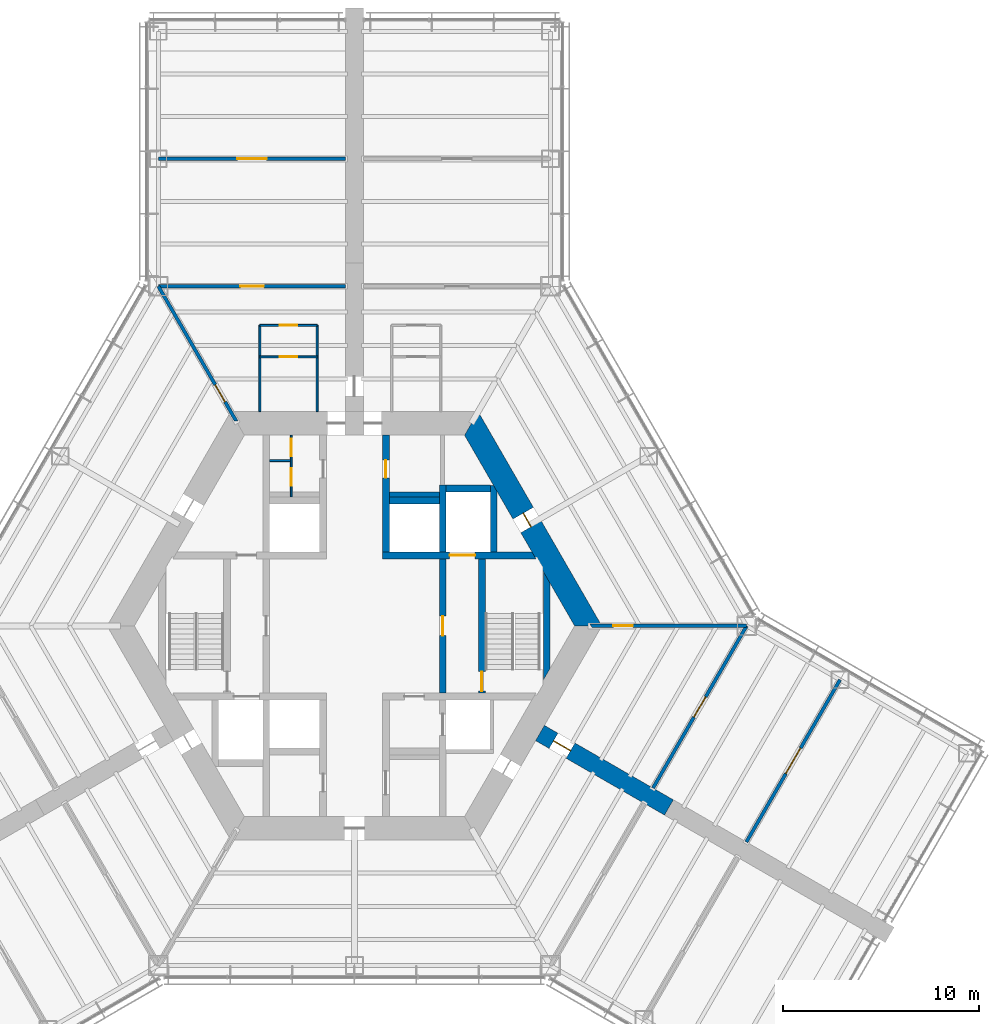
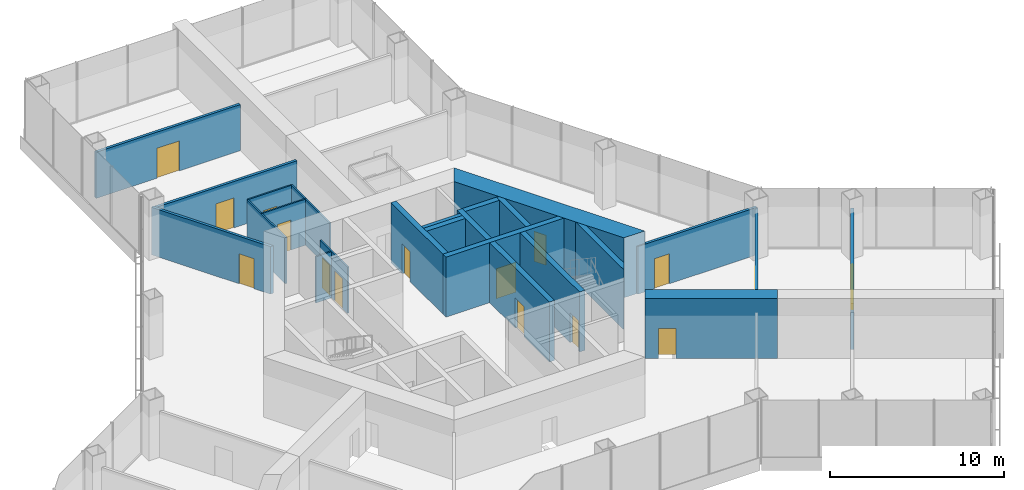
# One storey, part 12 of 15: 24 walls, 16 doors, 16 openings.
"""IFC4 building model written with IfcOpenShell, lengths in metres."""

from ifc_helpers import new_model, si_unit, direction, frame, frame_2d, origin, place, context, subcontext, project, spatial, polyline, rectangle, outline, extrude, material, layer, layer_set, type_object, element, fill, save


model = new_model("IFC4")

# Units and contexts
model_context = context("Model", 3, precision=1e-05, world=origin(), true_north=direction((0.0, 1.0)))
body_context = subcontext(model_context, "Body", "Model", "MODEL_VIEW")
ifc_project = project(units=[si_unit("LENGTHUNIT", "METRE"), si_unit("AREAUNIT", "SQUARE_METRE"), si_unit("VOLUMEUNIT", "CUBIC_METRE"), si_unit("PLANEANGLEUNIT", "RADIAN"), si_unit("MASSUNIT", "GRAM", prefix="KILO")], contexts=[model_context])

# Site, building, storey
site_placement = place(None, origin())
site = spatial("IfcSite", under=ifc_project, at=site_placement, CompositionType="ELEMENT")
building_placement = place(site_placement, origin())
building = spatial("IfcBuilding", under=site, at=building_placement, Name="Kasaneha Research Tower", CompositionType="ELEMENT")
storey_placement = place(building_placement, frame((0.0, 0.0, 31.0)))
storey = spatial("IfcBuildingStorey", under=building, at=storey_placement, Name="L08", CompositionType="ELEMENT", Elevation=31.0)

# Wall, opening, door
ifc_material_1 = material(Name="Concrete Fc100", Category="concrete")
ifc_layer_1 = layer(ifc_material_1, 0.35009765625)
ifc_layer_set_1 = layer_set([ifc_layer_1], Name="Core internal wall 350 Fc100")
wall_type_1 = type_object("IfcWallType", Name="Core internal wall 350 Fc100", PredefinedType="SHEAR", material=ifc_layer_set_1)
wall_1_placement = place(storey_placement, frame((1.425048828125, 3.60009765625, 0.0), z_axis=(0.0, 0.0, 1.0), x_axis=(1.0, 0.0, 0.0)))
wall_1 = element("IfcWall", 1, at=wall_1_placement, inside=storey, type_object=wall_type_1, Name="Core wall W1E L08", PredefinedType="SHEAR", context=body_context, shape_type="SweptSolid", body=[
    extrude(outline(polyline([(0.0, -0.175048828125), (3.425048828125, -0.175048828125), (4.72509765625, -0.175048828125), (7.8271484375, -0.175048828125), (7.625, 0.175048828125), (4.72509765625, 0.175048828125), (3.425048828125, 0.175048828125), (0.0, 0.175048828125), (0.0, -0.175048828125)])), origin(), (0.0, 0.0, 1.0), 4.199951171875),
])
opening_1_placement = place(wall_1_placement, frame((3.425048828125, 0.0, 0.0)))
opening_1 = element("IfcOpeningElement", 2, at=opening_1_placement, cuts=wall_1, Name="Opening LD-FL1-L08", PredefinedType="OPENING", context=body_context, shape_type="SweptSolid", body=[
    extrude(rectangle(XDim=1.300048828125, YDim=2.10009765625, at=frame_2d((0.64990234375, 1.050048828125))), frame((0.0, 0.18505859375, 0.0), z_axis=(0.0, -1.0, 0.0), x_axis=(1.0, 0.0, 0.0)), (0.0, 0.0, 1.0), 0.3701171875),
])
ifc_material_2 = material(Name="Steel", Category="steel")
door_type_1 = type_object("IfcDoorType", Name="Lift landing door 1300x2100", OperationType="DOUBLE_DOOR_SLIDING", PredefinedType="DOOR", material=ifc_material_2)
door_1_placement = place(opening_1_placement, origin())
door_1 = element("IfcDoor", 3, at=door_1_placement, inside=storey, type_object=door_type_1, Name="Landing door FL1 LD-FL1-L08", OperationType="DOUBLE_DOOR_SLIDING", OverallHeight=2.10009765625, OverallWidth=1.300048828125, PredefinedType="DOOR", context=body_context, shape_type="SweptSolid", body=[
    extrude(rectangle(XDim=1.300048828125, YDim=2.10009765625, at=frame_2d((0.64990234375, 1.050048828125))), frame((0.0, 0.02490234375, 0.0), z_axis=(0.0, -1.0, 0.0), x_axis=(1.0, 0.0, 0.0)), (0.0, 0.0, 1.0), 0.050048828125),
])
fill(opening_1, door_1)

wall_2_placement = place(storey_placement, frame((1.60009765625, 3.77490234375, 0.0), z_axis=(0.0, 0.0, 1.0), x_axis=(0.0, 1.0, 0.0)))
wall_2 = element("IfcWall", 4, at=wall_2_placement, inside=storey, type_object=wall_type_1, Name="Core wall CNE L08", PredefinedType="SHEAR", context=body_context, shape_type="SweptSolid", body=[
    extrude(rectangle(XDim=5.9501953125, YDim=0.35009765625, at=frame_2d((2.97509765625, 0.0))), origin(), (0.0, 0.0, 1.0), 4.199951171875),
])
opening_2_placement = place(wall_2_placement, frame((3.77490234375, 0.0, 0.0)))
opening_2 = element("IfcOpeningElement", 5, at=opening_2_placement, cuts=wall_2, Name="Opening L08-D14", PredefinedType="OPENING", context=body_context, shape_type="SweptSolid", body=[
    extrude(rectangle(XDim=0.89990234375, YDim=2.10009765625, at=frame_2d((0.449951171875, 1.050048828125))), frame((0.0, 0.18505859375, 0.0), z_axis=(0.0, -1.0, 0.0), x_axis=(1.0, 0.0, 0.0)), (0.0, 0.0, 1.0), 0.3701171875),
])
ifc_material_3 = material(Name="Steel", Category="steel")
door_type_2 = type_object("IfcDoorType", Name="Toilet door FD20 900x2100", OperationType="NOTDEFINED", PredefinedType="DOOR", material=ifc_material_3)
door_2_placement = place(opening_2_placement, origin())
door_2 = element("IfcDoor", 6, at=door_2_placement, inside=storey, type_object=door_type_2, Name="Women's WC door L08-D14", OperationType="SINGLE_SWING_LEFT", OverallHeight=2.10009765625, OverallWidth=0.89990234375, PredefinedType="DOOR", context=body_context, shape_type="SweptSolid", body=[
    extrude(rectangle(XDim=0.89990234375, YDim=2.10009765625, at=frame_2d((0.449951171875, 1.050048828125))), frame((0.0, 0.02490234375, 0.0), z_axis=(0.0, -1.0, 0.0), x_axis=(1.0, 0.0, 0.0)), (0.0, 0.0, 1.0), 0.050048828125),
])
fill(opening_2, door_2)

wall_3_placement = place(storey_placement, frame((4.5, -3.425048828125, 0.0), z_axis=(0.0, 0.0, 1.0), x_axis=(0.0, 1.0, 0.0)))
wall_3 = element("IfcWall", 7, at=wall_3_placement, inside=storey, type_object=wall_type_1, Name="Core wall LBE L08", PredefinedType="SHEAR", context=body_context, shape_type="SweptSolid", body=[
    extrude(rectangle(XDim=6.85009765625, YDim=0.35009765625, at=frame_2d((3.425048828125, 0.0))), origin(), (0.0, 0.0, 1.0), 4.199951171875),
])
opening_3_placement = place(wall_3_placement, frame((2.925048828125, 0.0, 0.0)))
opening_3 = element("IfcOpeningElement", 8, at=opening_3_placement, cuts=wall_3, Name="Opening L08-D08", PredefinedType="OPENING", context=body_context, shape_type="SweptSolid", body=[
    extrude(rectangle(XDim=1.0, YDim=2.10009765625, at=frame_2d((0.5, 1.050048828125))), frame((0.0, 0.18505859375, 0.0), z_axis=(0.0, -1.0, 0.0), x_axis=(1.0, 0.0, 0.0)), (0.0, 0.0, 1.0), 0.3701171875),
])
ifc_material_4 = material(Name="Steel", Category="steel")
door_type_3 = type_object("IfcDoorType", Name="Specified fire door FD60 1000x2100", OperationType="NOTDEFINED", PredefinedType="DOOR", material=ifc_material_4)
door_3_placement = place(opening_3_placement, origin())
door_3 = element("IfcDoor", 9, at=door_3_placement, inside=storey, type_object=door_type_3, Name="Lift lobby door east L08-D08", OperationType="SINGLE_SWING_LEFT", OverallHeight=2.10009765625, OverallWidth=1.0, PredefinedType="DOOR", context=body_context, shape_type="SweptSolid", body=[
    extrude(rectangle(XDim=1.0, YDim=2.10009765625, at=frame_2d((0.5, 1.050048828125))), frame((0.0, 0.02490234375, 0.0), z_axis=(0.0, -1.0, 0.0), x_axis=(1.0, 0.0, 0.0)), (0.0, 0.0, 1.0), 0.050048828125),
])
fill(opening_3, door_3)

wall_4_placement = place(storey_placement, frame((6.5, -3.425048828125, 0.0), z_axis=(0.0, 0.0, 1.0), x_axis=(0.0, 1.0, 0.0)))
wall_4 = element("IfcWall", 10, at=wall_4_placement, inside=storey, type_object=wall_type_1, Name="Core wall ANE L08", PredefinedType="SHEAR", context=body_context, shape_type="SweptSolid", body=[
    extrude(rectangle(XDim=6.85009765625, YDim=0.35009765625, at=frame_2d((3.425048828125, 0.0))), origin(), (0.0, 0.0, 1.0), 4.199951171875),
])
opening_4_placement = place(wall_4_placement, frame((0.10009765625, 0.0, 0.0)))
opening_4 = element("IfcOpeningElement", 11, at=opening_4_placement, cuts=wall_4, Name="Opening L08-D10", PredefinedType="OPENING", context=body_context, shape_type="SweptSolid", body=[
    extrude(rectangle(XDim=1.0, YDim=2.10009765625, at=frame_2d((0.5, 1.050048828125))), frame((0.0, 0.18505859375, 0.0), z_axis=(0.0, -1.0, 0.0), x_axis=(1.0, 0.0, 0.0)), (0.0, 0.0, 1.0), 0.3701171875),
])
door_4_placement = place(opening_4_placement, origin())
door_4 = element("IfcDoor", 12, at=door_4_placement, inside=storey, type_object=door_type_3, Name="Stair 1 door L08-D10", OperationType="SINGLE_SWING_LEFT", OverallHeight=2.10009765625, OverallWidth=1.0, PredefinedType="DOOR", context=body_context, shape_type="SweptSolid", body=[
    extrude(rectangle(XDim=1.0, YDim=2.10009765625, at=frame_2d((0.5, 1.050048828125))), frame((0.0, 0.02490234375, 0.0), z_axis=(0.0, -1.0, 0.0), x_axis=(1.0, 0.0, 0.0)), (0.0, 0.0, 1.0), 0.050048828125),
])
fill(opening_4, door_4)

# Walls
wall_5_placement = place(storey_placement, frame((4.5, 3.77490234375, 0.0), z_axis=(0.0, 0.0, 1.0), x_axis=(0.0, 1.0, 0.0)))
element("IfcWall", 13, at=wall_5_placement, inside=storey, type_object=wall_type_1, Name="Core wall FNE L08", PredefinedType="SHEAR", context=body_context, shape_type="SweptSolid", body=[
    extrude(rectangle(XDim=3.400146484375, YDim=0.35009765625, at=frame_2d((1.7001953125, 0.0))), origin(), (0.0, 0.0, 1.0), 4.199951171875),
])
wall_6_placement = place(storey_placement, frame((1.77490234375, 6.39990234375, 0.0), z_axis=(0.0, 0.0, 1.0), x_axis=(1.0, 0.0, 0.0)))
element("IfcWall", 14, at=wall_6_placement, inside=storey, type_object=wall_type_1, Name="Core wall N3N L08", PredefinedType="SHEAR", context=body_context, shape_type="SweptSolid", body=[
    extrude(rectangle(XDim=2.550048828125, YDim=0.35009765625, at=frame_2d((1.27490234375, 0.0))), origin(), (0.0, 0.0, 1.0), 4.199951171875),
])
wall_7_placement = place(storey_placement, frame((4.675048828125, 7.0, 0.0), z_axis=(0.0, 0.0, 1.0), x_axis=(1.0, 0.0, 0.0)))
element("IfcWall", 15, at=wall_7_placement, inside=storey, type_object=wall_type_1, Name="Core wall F1N L08", PredefinedType="SHEAR", context=body_context, shape_type="SweptSolid", body=[
    extrude(rectangle(XDim=2.25, YDim=0.35009765625, at=frame_2d((1.125, 0.0))), origin(), (0.0, 0.0, 1.0), 4.199951171875),
])
wall_8_placement = place(storey_placement, frame((7.10009765625, 3.77490234375, 0.0), z_axis=(0.0, 0.0, 1.0), x_axis=(0.0, 1.0, 0.0)))
element("IfcWall", 16, at=wall_8_placement, inside=storey, type_object=wall_type_1, Name="Core wall F1E L08", PredefinedType="SHEAR", context=body_context, shape_type="SweptSolid", body=[
    extrude(outline(polyline([(0.0, -0.175048828125), (3.07421875, -0.175048828125), (3.37744140625, 0.0), (3.39990234375, 0.175048828125), (0.0, 0.175048828125), (0.0, -0.175048828125)])), origin(), (0.0, 0.0, 1.0), 4.199951171875),
])
wall_9_placement = place(storey_placement, frame((9.807861328125, -2.462158203125, 0.0), z_axis=(0.0, 0.0, 1.0), x_axis=(0.0, 1.0, 0.0)))
element("IfcWall", 17, at=wall_9_placement, inside=storey, type_object=wall_type_1, Name="Core wall STE L08", PredefinedType="SHEAR", context=body_context, shape_type="SweptSolid", body=[
    extrude(outline(polyline([(0.30322265625, -0.175048828125), (4.62109375, -0.175048828125), (5.2275390625, 0.175048828125), (-0.30322265625, 0.175048828125), (0.30322265625, -0.175048828125)])), origin(), (0.0, 0.0, 1.0), 4.199951171875),
])

# Wall, opening, door
ifc_material_5 = material(Name="Concrete Fc100", Category="concrete")
ifc_layer_2 = layer(ifc_material_5, 1.199951171875)
ifc_layer_set_2 = layer_set([ifc_layer_2], Name="Core wall 1200 Fc100")
wall_type_2 = type_object("IfcWallType", Name="Core wall 1200 Fc100", PredefinedType="SHEAR", material=ifc_layer_set_2)
wall_10_placement = place(storey_placement, frame((11.92236328125, 0.0, 0.0), z_axis=(0.0, 0.0, 1.0), x_axis=(-0.500004296715, 0.866022923061, 0.0)))
wall_10 = element("IfcWall", 18, at=wall_10_placement, inside=storey, type_object=wall_type_2, Name="Core wall 030 L08", PredefinedType="SHEAR", context=body_context, shape_type="SweptSolid", body=[
    extrude(outline(polyline([(-0.346435546875, -0.60009765625), (5.83544921875, -0.60009765625), (6.635498046875, -0.60009765625), (12.268798828125, -0.60009765625), (11.575927734375, 0.60009765625), (6.635498046875, 0.60009765625), (5.83544921875, 0.60009765625), (0.346435546875, 0.60009765625), (-0.346435546875, -0.60009765625)])), origin(), (0.0, 0.0, 1.0), 4.199951171875),
])
opening_5_placement = place(wall_10_placement, frame((5.83544921875, 0.0, 0.0)))
opening_5 = element("IfcOpeningElement", 19, at=opening_5_placement, cuts=wall_10, Name="Opening L08-D04", PredefinedType="OPENING", context=body_context, shape_type="SweptSolid", body=[
    extrude(rectangle(XDim=0.800048828125, YDim=2.10009765625, at=frame_2d((0.39990234375, 1.050048828125))), frame((0.0, 0.60986328125, 0.0), z_axis=(0.0, -1.0, 0.0), x_axis=(1.0, 0.0, 0.0)), (0.0, 0.0, 1.0), 1.219970703125),
])
ifc_material_6 = material(Name="Steel", Category="steel")
door_type_4 = type_object("IfcDoorType", Name="Riser access door FD60 800x2100", OperationType="NOTDEFINED", PredefinedType="DOOR", material=ifc_material_6)
door_5_placement = place(opening_5_placement, origin())
door_5 = element("IfcDoor", 20, at=door_5_placement, inside=storey, type_object=door_type_4, Name="Pipe riser door L08-D04", OperationType="SINGLE_SWING_RIGHT", OverallHeight=2.10009765625, OverallWidth=0.800048828125, PredefinedType="DOOR", context=body_context, shape_type="SweptSolid", body=[
    extrude(rectangle(XDim=0.800048828125, YDim=2.10009765625, at=frame_2d((0.39990234375, 1.050048828125))), frame((0.0, 0.02490234375, 0.0), z_axis=(0.0, -1.0, 0.0), x_axis=(1.0, 0.0, 0.0)), (0.0, 0.0, 1.0), 0.050048828125),
])
fill(opening_5, door_5)

ifc_material_7 = material(Name="Gypsum board on steel studs, two layers each side", Category="steel")
ifc_layer_3 = layer(ifc_material_7, 0.175048828125)
ifc_layer_set_3 = layer_set([ifc_layer_3], Name="Laboratory fire partition 175")
wall_type_3 = type_object("IfcWallType", Name="Laboratory fire partition 175", PredefinedType="PARTITIONING", material=ifc_layer_set_3)
wall_11_placement = place(storey_placement, frame((-0.449951171875, 17.320556640625, 0.0), z_axis=(0.0, 0.0, 1.0), x_axis=(-1.0, 0.0, 0.0)))
wall_11 = element("IfcWall", 21, at=wall_11_placement, inside=storey, type_object=wall_type_3, Name="Laboratory fire partition LABA-W L08", PredefinedType="PARTITIONING", context=body_context, shape_type="SweptSolid", body=[
    extrude(rectangle(XDim=9.550048828125, YDim=0.175048828125, at=frame_2d((4.77490234375, 0.0))), origin(), (0.0, 0.0, 1.0), 3.238037109375),
])
opening_6_placement = place(wall_11_placement, frame((4.175048828125, 0.0, 0.0)))
opening_6 = element("IfcOpeningElement", 22, at=opening_6_placement, cuts=wall_11, Name="Opening L08-D31", PredefinedType="OPENING", context=body_context, shape_type="SweptSolid", body=[
    extrude(rectangle(XDim=1.199951171875, YDim=2.10009765625, at=frame_2d((0.60009765625, 1.050048828125))), frame((0.0, 0.09765625, 0.0), z_axis=(0.0, -1.0, 0.0), x_axis=(1.0, 0.0, 0.0)), (0.0, 0.0, 1.0), 0.195068359375),
])
ifc_material_8 = material(Name="Steel", Category="steel")
door_type_5 = type_object("IfcDoorType", Name="Laboratory door FD60 1200x2100", OperationType="DOUBLE_DOOR_SINGLE_SWING", PredefinedType="DOOR", material=ifc_material_8)
door_6_placement = place(opening_6_placement, origin())
door_6 = element("IfcDoor", 23, at=door_6_placement, inside=storey, type_object=door_type_5, Name="Laboratory door L08-D31", OperationType="DOUBLE_DOOR_SINGLE_SWING", OverallHeight=2.10009765625, OverallWidth=1.199951171875, PredefinedType="DOOR", context=body_context, shape_type="SweptSolid", body=[
    extrude(rectangle(XDim=1.199951171875, YDim=2.10009765625, at=frame_2d((0.60009765625, 1.050048828125))), frame((0.0, 0.02490234375, 0.0), z_axis=(0.0, -1.0, 0.0), x_axis=(1.0, 0.0, 0.0)), (0.0, 0.0, 1.0), 0.050048828125),
])
fill(opening_6, door_6)

wall_12_placement = place(storey_placement, frame((-0.449951171875, 23.820556640625, 0.0), z_axis=(0.0, 0.0, 1.0), x_axis=(-1.0, 0.0, 0.0)))
wall_12 = element("IfcWall", 24, at=wall_12_placement, inside=storey, type_object=wall_type_3, Name="Laboratory fire partition INSA-W L08", PredefinedType="PARTITIONING", context=body_context, shape_type="SweptSolid", body=[
    extrude(rectangle(XDim=9.550048828125, YDim=0.175048828125, at=frame_2d((4.77490234375, 0.0))), origin(), (0.0, 0.0, 1.0), 3.22998046875),
])
opening_7_placement = place(wall_12_placement, frame((4.02490234375, 0.0, 0.0)))
opening_7 = element("IfcOpeningElement", 25, at=opening_7_placement, cuts=wall_12, Name="Opening L08-D32", PredefinedType="OPENING", context=body_context, shape_type="SweptSolid", body=[
    extrude(rectangle(XDim=1.5, YDim=2.10009765625, at=frame_2d((0.75, 1.050048828125))), frame((0.0, 0.09765625, 0.0), z_axis=(0.0, -1.0, 0.0), x_axis=(1.0, 0.0, 0.0)), (0.0, 0.0, 1.0), 0.195068359375),
])
ifc_material_9 = material(Name="Steel", Category="steel")
door_type_6 = type_object("IfcDoorType", Name="Laboratory door FD60 1500x2100", OperationType="DOUBLE_DOOR_SINGLE_SWING", PredefinedType="DOOR", material=ifc_material_9)
door_7_placement = place(opening_7_placement, origin())
door_7 = element("IfcDoor", 26, at=door_7_placement, inside=storey, type_object=door_type_6, Name="Instrument room door L08-D32", OperationType="DOUBLE_DOOR_SINGLE_SWING", OverallHeight=2.10009765625, OverallWidth=1.5, PredefinedType="DOOR", context=body_context, shape_type="SweptSolid", body=[
    extrude(rectangle(XDim=1.5, YDim=2.10009765625, at=frame_2d((0.75, 1.050048828125))), frame((0.0, 0.02490234375, 0.0), z_axis=(0.0, -1.0, 0.0), x_axis=(1.0, 0.0, 0.0)), (0.0, 0.0, 1.0), 0.050048828125),
])
fill(opening_7, door_7)

wall_13_placement = place(storey_placement, frame((15.22509765625, -8.2705078125, 0.0), z_axis=(0.0, 0.0, 1.0), x_axis=(0.499993908199, 0.866028920859, 0.0)))
wall_13 = element("IfcWall", 27, at=wall_13_placement, inside=storey, type_object=wall_type_3, Name="Laboratory fire partition LABC-E L08", PredefinedType="PARTITIONING", context=body_context, shape_type="SweptSolid", body=[
    extrude(rectangle(XDim=9.5498046875, YDim=0.175048828125, at=frame_2d((4.77490234375, 0.0))), origin(), (0.0, 0.0, 1.0), 3.238037109375),
])
opening_8_placement = place(wall_13_placement, frame((4.175048828125, 0.0, 0.0)))
opening_8 = element("IfcOpeningElement", 28, at=opening_8_placement, cuts=wall_13, Name="Opening L08-D37", PredefinedType="OPENING", context=body_context, shape_type="SweptSolid", body=[
    extrude(rectangle(XDim=1.199951171875, YDim=2.10009765625, at=frame_2d((0.60009765625, 1.050048828125))), frame((0.0, 0.09765625, 0.0), z_axis=(0.0, -1.0, 0.0), x_axis=(1.0, 0.0, 0.0)), (0.0, 0.0, 1.0), 0.195068359375),
])
door_8_placement = place(opening_8_placement, origin())
door_8 = element("IfcDoor", 29, at=door_8_placement, inside=storey, type_object=door_type_5, Name="Laboratory door L08-D37", OperationType="DOUBLE_DOOR_SINGLE_SWING", OverallHeight=2.10009765625, OverallWidth=1.199951171875, PredefinedType="DOOR", context=body_context, shape_type="SweptSolid", body=[
    extrude(rectangle(XDim=1.199951171875, YDim=2.10009765625, at=frame_2d((0.60009765625, 1.050048828125))), frame((0.0, 0.02490234375, 0.0), z_axis=(0.0, -1.0, 0.0), x_axis=(1.0, 0.0, 0.0)), (0.0, 0.0, 1.0), 0.050048828125),
])
fill(opening_8, door_8)

wall_14_placement = place(storey_placement, frame((19.988037109375, -11.0205078125, 0.0), z_axis=(0.0, 0.0, 1.0), x_axis=(0.500013081493, 0.866017851049, 0.0)))
wall_14 = element("IfcWall", 30, at=wall_14_placement, inside=storey, type_object=wall_type_3, Name="Laboratory fire partition INSC-E L08", PredefinedType="PARTITIONING", context=body_context, shape_type="SweptSolid", body=[
    extrude(rectangle(XDim=9.550048828125, YDim=0.175048828125, at=frame_2d((4.77490234375, 0.0))), origin(), (0.0, 0.0, 1.0), 3.22998046875),
])
opening_9_placement = place(wall_14_placement, frame((4.02490234375, 0.0, 0.0)))
opening_9 = element("IfcOpeningElement", 31, at=opening_9_placement, cuts=wall_14, Name="Opening L08-D38", PredefinedType="OPENING", context=body_context, shape_type="SweptSolid", body=[
    extrude(rectangle(XDim=1.5, YDim=2.10009765625, at=frame_2d((0.75, 1.050048828125))), frame((0.0, 0.09765625, 0.0), z_axis=(0.0, -1.0, 0.0), x_axis=(1.0, 0.0, 0.0)), (0.0, 0.0, 1.0), 0.195068359375),
])
door_9_placement = place(opening_9_placement, origin())
door_9 = element("IfcDoor", 32, at=door_9_placement, inside=storey, type_object=door_type_6, Name="Instrument room door L08-D38", OperationType="DOUBLE_DOOR_SINGLE_SWING", OverallHeight=2.10009765625, OverallWidth=1.5, PredefinedType="DOOR", context=body_context, shape_type="SweptSolid", body=[
    extrude(rectangle(XDim=1.5, YDim=2.10009765625, at=frame_2d((0.75, 1.050048828125))), frame((0.0, 0.02490234375, 0.0), z_axis=(0.0, -1.0, 0.0), x_axis=(1.0, 0.0, 0.0)), (0.0, 0.0, 1.0), 0.050048828125),
])
fill(opening_9, door_9)

# Wall, openings, doors
ifc_material_10 = material(Name="Gypsum board on steel studs, one layer each side", Category="steel")
ifc_layer_4 = layer(ifc_material_10, 0.10009765625)
ifc_layer_set_4 = layer_set([ifc_layer_4], Name="Office partition 100")
wall_type_4 = type_object("IfcWallType", Name="Office partition 100", PredefinedType="PARTITIONING", material=ifc_layer_set_4)
wall_15_placement = place(storey_placement, frame((-3.22509765625, 6.574951171875, 0.0), z_axis=(0.0, 0.0, 1.0), x_axis=(0.0, 1.0, 0.0)))
wall_15 = element("IfcWall", 33, at=wall_15_placement, inside=storey, type_object=wall_type_4, Name="Office partition TBM1 L08", PredefinedType="PARTITIONING", context=body_context, shape_type="SweptSolid", body=[
    extrude(rectangle(XDim=3.150146484375, YDim=0.10009765625, at=frame_2d((1.5751953125, 0.0))), origin(), (0.0, 0.0, 1.0), 3.22998046875),
])
opening_10_placement = place(wall_15_placement, frame((0.574951171875, 0.0, 0.0)))
opening_10 = element("IfcOpeningElement", 34, at=opening_10_placement, cuts=wall_15, Name="Opening L08-D20", PredefinedType="OPENING", context=body_context, shape_type="SweptSolid", body=[
    extrude(rectangle(XDim=0.89990234375, YDim=2.10009765625, at=frame_2d((0.449951171875, 1.050048828125))), frame((0.0, 0.06005859375, 0.0), z_axis=(0.0, -1.0, 0.0), x_axis=(1.0, 0.0, 0.0)), (0.0, 0.0, 1.0), 0.1201171875),
])
opening_11_placement = place(wall_15_placement, frame((2.074951171875, 0.0, 0.0)))
opening_11 = element("IfcOpeningElement", 35, at=opening_11_placement, cuts=wall_15, Name="Opening L08-D21", PredefinedType="OPENING", context=body_context, shape_type="SweptSolid", body=[
    extrude(rectangle(XDim=0.89990234375, YDim=2.10009765625, at=frame_2d((0.449951171875, 1.050048828125))), frame((0.0, 0.06005859375, 0.0), z_axis=(0.0, -1.0, 0.0), x_axis=(1.0, 0.0, 0.0)), (0.0, 0.0, 1.0), 0.1201171875),
])
ifc_material_11 = material(Name="Steel", Category="steel")
door_type_7 = type_object("IfcDoorType", Name="Toilet lobby door FD30 900x2100", OperationType="NOTDEFINED", PredefinedType="DOOR", material=ifc_material_11)
door_10_placement = place(opening_10_placement, origin())
door_10 = element("IfcDoor", 36, at=door_10_placement, inside=storey, type_object=door_type_7, Name="Men's WC door L08-D20", OperationType="SINGLE_SWING_RIGHT", OverallHeight=2.10009765625, OverallWidth=0.89990234375, PredefinedType="DOOR", context=body_context, shape_type="SweptSolid", body=[
    extrude(rectangle(XDim=0.89990234375, YDim=2.10009765625, at=frame_2d((0.449951171875, 1.050048828125))), frame((0.0, 0.02490234375, 0.0), z_axis=(0.0, -1.0, 0.0), x_axis=(1.0, 0.0, 0.0)), (0.0, 0.0, 1.0), 0.050048828125),
])
fill(opening_10, door_10)
door_11_placement = place(opening_11_placement, origin())
door_11 = element("IfcDoor", 37, at=door_11_placement, inside=storey, type_object=door_type_7, Name="Cleaner's store door L08-D21", OperationType="SINGLE_SWING_RIGHT", OverallHeight=2.10009765625, OverallWidth=0.89990234375, PredefinedType="DOOR", context=body_context, shape_type="SweptSolid", body=[
    extrude(rectangle(XDim=0.89990234375, YDim=2.10009765625, at=frame_2d((0.449951171875, 1.050048828125))), frame((0.0, 0.02490234375, 0.0), z_axis=(0.0, -1.0, 0.0), x_axis=(1.0, 0.0, 0.0)), (0.0, 0.0, 1.0), 0.050048828125),
])
fill(opening_11, door_11)

# Wall
wall_16_placement = place(storey_placement, frame((-3.27490234375, 8.425048828125, 0.0), z_axis=(0.0, 0.0, 1.0), x_axis=(-1.0, 0.0, 0.0)))
element("IfcWall", 38, at=wall_16_placement, inside=storey, type_object=wall_type_4, Name="Office partition TBM2 L08", PredefinedType="PARTITIONING", context=body_context, shape_type="SweptSolid", body=[
    extrude(rectangle(XDim=1.050048828125, YDim=0.10009765625, at=frame_2d((0.52490234375, 0.0))), origin(), (0.0, 0.0, 1.0), 3.22998046875),
])

# Wall, opening, door
wall_17_placement = place(storey_placement, frame((-4.82861328125, 13.72509765625, 0.0), z_axis=(0.0, 0.0, 1.0), x_axis=(1.0, 0.0, 0.0)))
wall_17 = element("IfcWall", 39, at=wall_17_placement, inside=storey, type_object=wall_type_4, Name="Office partition WCAW1 L08", PredefinedType="PARTITIONING", context=body_context, shape_type="SweptSolid", body=[
    extrude(rectangle(XDim=2.9287109375, YDim=0.10009765625, at=frame_2d((1.46435546875, 0.0))), origin(), (0.0, 0.0, 1.0), 3.22998046875),
])
opening_12_placement = place(wall_17_placement, frame((1.01416015625, 0.0, 0.0)))
opening_12 = element("IfcOpeningElement", 40, at=opening_12_placement, cuts=wall_17, Name="Opening L08-D29", PredefinedType="OPENING", context=body_context, shape_type="SweptSolid", body=[
    extrude(rectangle(XDim=0.89990234375, YDim=2.10009765625, at=frame_2d((0.449951171875, 1.050048828125))), frame((0.0, 0.06005859375, 0.0), z_axis=(0.0, -1.0, 0.0), x_axis=(1.0, 0.0, 0.0)), (0.0, 0.0, 1.0), 0.1201171875),
])
door_12_placement = place(opening_12_placement, origin())
door_12 = element("IfcDoor", 41, at=door_12_placement, inside=storey, type_object=door_type_7, Name="Men's WC door L08-D29", OperationType="SINGLE_SWING_LEFT", OverallHeight=2.10009765625, OverallWidth=0.89990234375, PredefinedType="DOOR", context=body_context, shape_type="SweptSolid", body=[
    extrude(rectangle(XDim=0.89990234375, YDim=2.10009765625, at=frame_2d((0.449951171875, 1.050048828125))), frame((0.0, 0.02490234375, 0.0), z_axis=(0.0, -1.0, 0.0), x_axis=(1.0, 0.0, 0.0)), (0.0, 0.0, 1.0), 0.050048828125),
])
fill(opening_12, door_12)

wall_18_placement = place(storey_placement, frame((-4.82861328125, 15.324951171875, 0.0), z_axis=(0.0, 0.0, 1.0), x_axis=(1.0, 0.0, 0.0)))
wall_18 = element("IfcWall", 42, at=wall_18_placement, inside=storey, type_object=wall_type_4, Name="Office partition WCAW4 L08", PredefinedType="PARTITIONING", context=body_context, shape_type="SweptSolid", body=[
    extrude(rectangle(XDim=2.9287109375, YDim=0.10009765625, at=frame_2d((1.46435546875, 0.0))), origin(), (0.0, 0.0, 1.0), 3.22998046875),
])
opening_13_placement = place(wall_18_placement, frame((1.01416015625, 0.0, 0.0)))
opening_13 = element("IfcOpeningElement", 43, at=opening_13_placement, cuts=wall_18, Name="Opening L08-D30", PredefinedType="OPENING", context=body_context, shape_type="SweptSolid", body=[
    extrude(rectangle(XDim=0.89990234375, YDim=2.10009765625, at=frame_2d((0.449951171875, 1.050048828125))), frame((0.0, 0.06005859375, 0.0), z_axis=(0.0, -1.0, 0.0), x_axis=(1.0, 0.0, 0.0)), (0.0, 0.0, 1.0), 0.1201171875),
])
door_13_placement = place(opening_13_placement, origin())
door_13 = element("IfcDoor", 44, at=door_13_placement, inside=storey, type_object=door_type_7, Name="Toilet lobby door L08-D30", OperationType="SINGLE_SWING_LEFT", OverallHeight=2.10009765625, OverallWidth=0.89990234375, PredefinedType="DOOR", context=body_context, shape_type="SweptSolid", body=[
    extrude(rectangle(XDim=0.89990234375, YDim=2.10009765625, at=frame_2d((0.449951171875, 1.050048828125))), frame((0.0, 0.02490234375, 0.0), z_axis=(0.0, -1.0, 0.0), x_axis=(1.0, 0.0, 0.0)), (0.0, 0.0, 1.0), 0.050048828125),
])
fill(opening_13, door_13)

# Walls
for number, where, z_axis, x_axis, name in (
    (45, (-1.89990234375, 10.925048828125, 0.0), (0.0, 0.0, 1.0), (0.0, 1.0, 0.0), "Office partition WCAW2 L08"),
    (46, (-4.82861328125, 10.925048828125, 0.0), (0.0, 0.0, 1.0), (0.0, 1.0, 0.0), "Office partition WCAW3 L08"),
):
    element("IfcWall", number, at=place(storey_placement, frame(where, z_axis=z_axis, x_axis=x_axis)), inside=storey, type_object=wall_type_4, Name=name, PredefinedType="PARTITIONING", context=body_context, shape_type="SweptSolid", body=[
        extrude(rectangle(XDim=4.39990234375, YDim=0.10009765625, at=frame_2d((2.199951171875, 0.0))), origin(), (0.0, 0.0, 1.0), 3.22998046875),
    ])

# Wall, opening, door
ifc_material_12 = material(Name="Concrete Fc100", Category="concrete")
ifc_layer_5 = layer(ifc_material_12, 0.89990234375)
ifc_layer_set_5 = layer_set([ifc_layer_5], Name="Spine wall 900 Fc100")
wall_type_5 = type_object("IfcWallType", Name="Spine wall 900 Fc100", PredefinedType="SHEAR", material=ifc_layer_set_5)
wall_19_placement = place(storey_placement, frame((9.46142578125, -5.46240234375, 0.0), z_axis=(0.0, 0.0, 1.0), x_axis=(0.866019116917, -0.500010889016, 0.0)))
wall_19 = element("IfcWall", 47, at=wall_19_placement, inside=storey, type_object=wall_type_5, Name="Spine wall C L08", PredefinedType="SHEAR", context=body_context, shape_type="SweptSolid", body=[
    extrude(rectangle(XDim=7.595458984375, YDim=0.89990234375, at=frame_2d((3.7978515625, 0.0))), origin(), (0.0, 0.0, 1.0), 4.199951171875),
])
opening_14_placement = place(wall_19_placement, frame((0.800048828125, 0.0, 0.0)))
opening_14 = element("IfcOpeningElement", 48, at=opening_14_placement, cuts=wall_19, Name="Opening L08-D19", PredefinedType="OPENING", context=body_context, shape_type="SweptSolid", body=[
    extrude(rectangle(XDim=1.0, YDim=2.10009765625, at=frame_2d((0.5, 1.050048828125))), frame((0.0, 0.4599609375, 0.0), z_axis=(0.0, -1.0, 0.0), x_axis=(1.0, 0.0, 0.0)), (0.0, 0.0, 1.0), 0.919921875),
])
door_14_placement = place(opening_14_placement, origin())
door_14 = element("IfcDoor", 49, at=door_14_placement, inside=storey, type_object=door_type_3, Name="Spine doorway C L08-D19", OperationType="SINGLE_SWING_LEFT", OverallHeight=2.10009765625, OverallWidth=1.0, PredefinedType="DOOR", context=body_context, shape_type="SweptSolid", body=[
    extrude(rectangle(XDim=1.0, YDim=2.10009765625, at=frame_2d((0.5, 1.050048828125))), frame((0.0, 0.02490234375, 0.0), z_axis=(0.0, -1.0, 0.0), x_axis=(1.0, 0.0, 0.0)), (0.0, 0.0, 1.0), 0.050048828125),
])
fill(opening_14, door_14)

ifc_material_13 = material(Name="Gypsum board on steel studs, two layers each side", Category="steel")
ifc_layer_6 = layer(ifc_material_13, 0.175048828125)
ifc_layer_set_6 = layer_set([ifc_layer_6], Name="Tenancy fire partition 175")
wall_type_6 = type_object("IfcWallType", Name="Tenancy fire partition 175", PredefinedType="PARTITIONING", material=ifc_layer_set_6)
wall_20_placement = place(storey_placement, frame((12.070068359375, 0.0, 0.0), z_axis=(0.0, 0.0, 1.0), x_axis=(1.0, 0.0, 0.0)))
wall_20 = element("IfcWall", 50, at=wall_20_placement, inside=storey, type_object=wall_type_6, Name="Tenancy fire partition T000 L08", PredefinedType="PARTITIONING", context=body_context, shape_type="SweptSolid", body=[
    extrude(outline(polyline([(0.050537109375, -0.08740234375), (1.12939453125, -0.08740234375), (2.12939453125, -0.08740234375), (7.929931640625, -0.08740234375), (7.929931640625, 0.08740234375), (2.12939453125, 0.08740234375), (1.12939453125, 0.08740234375), (-0.050537109375, 0.08740234375), (0.050537109375, -0.08740234375)])), origin(), (0.0, 0.0, 1.0), 3.330078125),
])
opening_15_placement = place(wall_20_placement, frame((1.12939453125, 0.0, 0.0)))
opening_15 = element("IfcOpeningElement", 51, at=opening_15_placement, cuts=wall_20, Name="Opening L08-D22", PredefinedType="OPENING", context=body_context, shape_type="SweptSolid", body=[
    extrude(rectangle(XDim=1.0, YDim=2.10009765625, at=frame_2d((0.5, 1.050048828125))), frame((0.0, 0.09765625, 0.0), z_axis=(0.0, -1.0, 0.0), x_axis=(1.0, 0.0, 0.0)), (0.0, 0.0, 1.0), 0.195068359375),
])
ifc_material_14 = material(Name="Steel", Category="steel")
door_type_8 = type_object("IfcDoorType", Name="Suite entrance door FD60 1000x2100", OperationType="NOTDEFINED", PredefinedType="DOOR", material=ifc_material_14)
door_15_placement = place(opening_15_placement, origin())
door_15 = element("IfcDoor", 52, at=door_15_placement, inside=storey, type_object=door_type_8, Name="Connecting door L08-D22", OperationType="SINGLE_SWING_LEFT", OverallHeight=2.10009765625, OverallWidth=1.0, PredefinedType="DOOR", context=body_context, shape_type="SweptSolid", body=[
    extrude(rectangle(XDim=1.0, YDim=2.10009765625, at=frame_2d((0.5, 1.050048828125))), frame((0.0, 0.02490234375, 0.0), z_axis=(0.0, -1.0, 0.0), x_axis=(1.0, 0.0, 0.0)), (0.0, 0.0, 1.0), 0.050048828125),
])
fill(opening_15, door_15)

wall_21_placement = place(storey_placement, frame((-6.03515625, 10.453125, 0.0), z_axis=(0.0, 0.0, 1.0), x_axis=(-0.499993402427, 0.866029212861, 0.0)))
wall_21 = element("IfcWall", 53, at=wall_21_placement, inside=storey, type_object=wall_type_6, Name="Tenancy fire partition T120 L08", PredefinedType="PARTITIONING", context=body_context, shape_type="SweptSolid", body=[
    extrude(outline(polyline([(-0.050537109375, -0.08740234375), (1.12939453125, -0.08740234375), (2.12939453125, -0.08740234375), (7.9296875, -0.08740234375), (7.9296875, 0.08740234375), (2.12939453125, 0.08740234375), (1.12939453125, 0.08740234375), (0.050537109375, 0.08740234375), (-0.050537109375, -0.08740234375)])), origin(), (0.0, 0.0, 1.0), 3.330078125),
])
opening_16_placement = place(wall_21_placement, frame((1.12939453125, 0.0, 0.0)))
opening_16 = element("IfcOpeningElement", 54, at=opening_16_placement, cuts=wall_21, Name="Opening L08-D23", PredefinedType="OPENING", context=body_context, shape_type="SweptSolid", body=[
    extrude(rectangle(XDim=1.0, YDim=2.10009765625, at=frame_2d((0.5, 1.050048828125))), frame((0.0, 0.09765625, 0.0), z_axis=(0.0, -1.0, 0.0), x_axis=(1.0, 0.0, 0.0)), (0.0, 0.0, 1.0), 0.195068359375),
])
door_16_placement = place(opening_16_placement, origin())
door_16 = element("IfcDoor", 55, at=door_16_placement, inside=storey, type_object=door_type_8, Name="Connecting door L08-D23", OperationType="SINGLE_SWING_LEFT", OverallHeight=2.10009765625, OverallWidth=1.0, PredefinedType="DOOR", context=body_context, shape_type="SweptSolid", body=[
    extrude(rectangle(XDim=1.0, YDim=2.10009765625, at=frame_2d((0.5, 1.050048828125))), frame((0.0, 0.02490234375, 0.0), z_axis=(0.0, -1.0, 0.0), x_axis=(1.0, 0.0, 0.0)), (0.0, 0.0, 1.0), 0.050048828125),
])
fill(opening_16, door_16)

# Wall
ifc_material_15 = material(Name="Concrete block lining", Category="concrete")
ifc_layer_7 = layer(ifc_material_15, 0.25)
ifc_layer_set_7 = layer_set([ifc_layer_7], Name="WC plumbing wall 250")
wall_type_7 = type_object("IfcWallType", Name="WC plumbing wall 250", PredefinedType="PLUMBINGWALL", material=ifc_layer_set_7)
wall_22_placement = place(storey_placement, frame((1.77490234375, 6.699951171875, 0.0), z_axis=(0.0, 0.0, 1.0), x_axis=(1.0, 0.0, 0.0)))
element("IfcWall", 56, at=wall_22_placement, inside=storey, type_object=wall_type_7, Name="WC plumbing wall F L08", PredefinedType="PLUMBINGWALL", context=body_context, shape_type="SweptSolid", body=[
    extrude(rectangle(XDim=2.550048828125, YDim=0.25, at=frame_2d((1.27490234375, 0.0))), origin(), (0.0, 0.0, 1.0), 4.199951171875),
])

save(model, "model.ifc")
